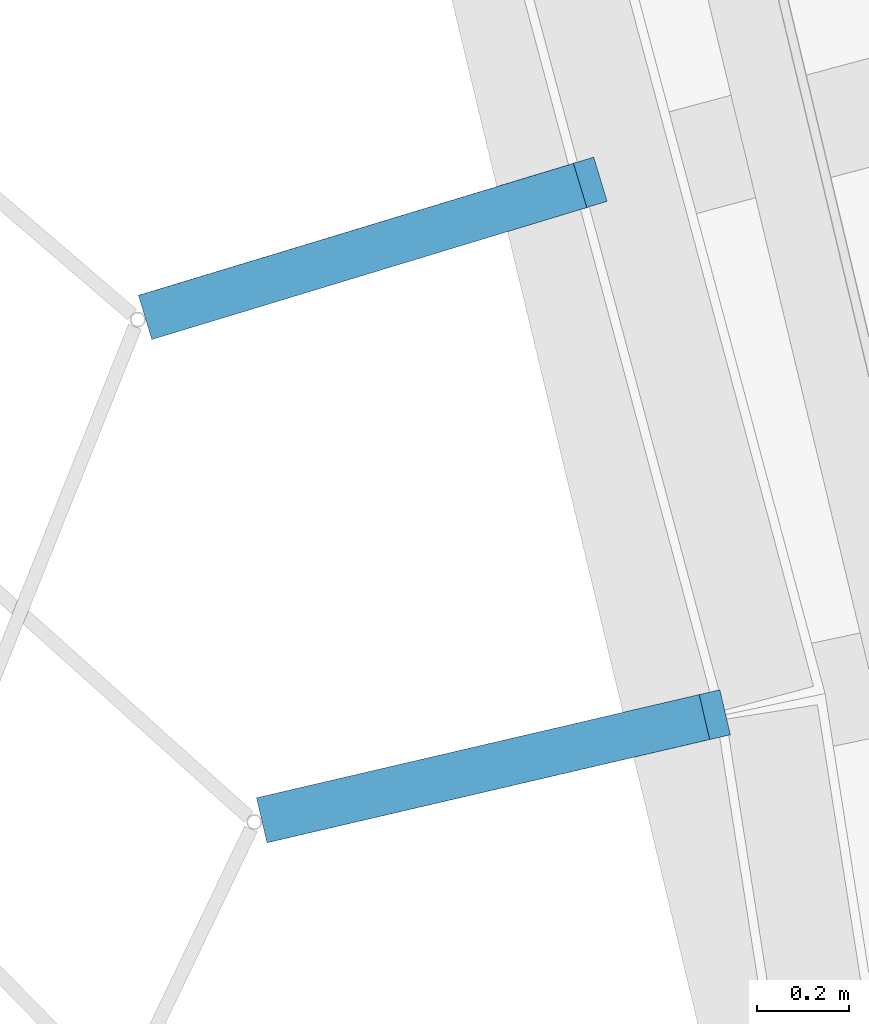
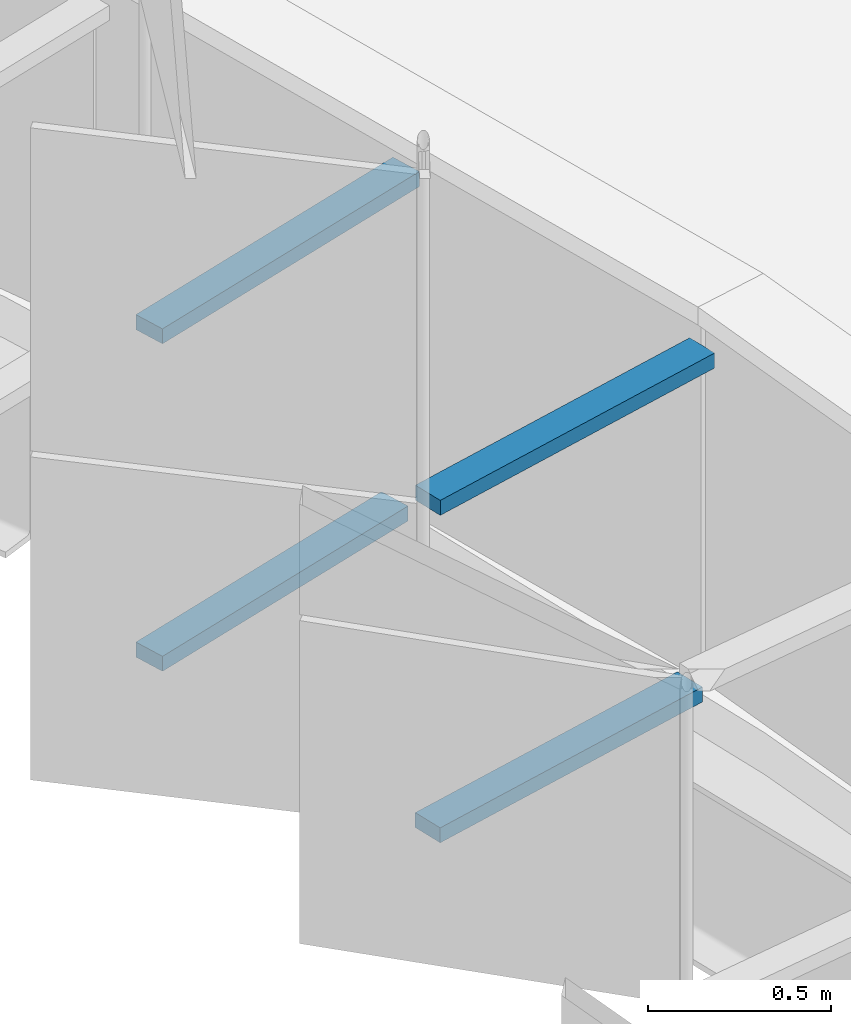
# One storey, part 209 of 483: 4 discrete accessories.
"""IFC4 building model written with IfcOpenShell, lengths in metres."""

from ifc_helpers import new_model, si_unit, direction, frame, origin, origin_2d, place, context, subcontext, project, spatial, rectangle, extrude, material, type_object, element, save


model = new_model("IFC4")

# Units and contexts
model_context = context("Model", 3, precision=1e-05, world=origin(), true_north=direction((0.0, 1.0)))
body_context = subcontext(model_context, "Body", "Model", "MODEL_VIEW")
ifc_project = project(units=[si_unit("LENGTHUNIT", "METRE"), si_unit("AREAUNIT", "SQUARE_METRE"), si_unit("VOLUMEUNIT", "CUBIC_METRE"), si_unit("PLANEANGLEUNIT", "RADIAN"), si_unit("MASSUNIT", "GRAM", prefix="KILO")], contexts=[model_context])

# Site, building, storey
site_placement = place(None, origin())
site = spatial("IfcSite", under=ifc_project, at=site_placement, CompositionType="ELEMENT")
building_placement = place(site_placement, origin())
building = spatial("IfcBuilding", under=site, at=building_placement, Name="Parallax Yard Mobility Hub", CompositionType="ELEMENT")
storey_placement = place(building_placement, frame((0.0, 0.0, 13.199951171875)))
storey = spatial("IfcBuildingStorey", under=building, at=storey_placement, Name="L04", CompositionType="ELEMENT", Elevation=13.199951171875)

# Discrete accessories
ifc_material = material(Name="Steel ASTM A36, hot-dip galvanised", Category="steel")
discrete_accessory_type = type_object("IfcDiscreteAccessoryType", Name="Hinge bracket plate 100x50", PredefinedType="BRACKET", material=ifc_material)
discrete_accessory_1_placement = place(storey_placement, frame((193.760009765625, 95.690185546875, -0.02490234375), z_axis=(0.0, 0.0, 1.0), x_axis=(-0.956940335732, -0.290284677254, 0.0)))
element("IfcDiscreteAccessory", 1, at=discrete_accessory_1_placement, inside=storey, type_object=discrete_accessory_type, Name="Hinge bracket plate bay 22.2 level L04", PredefinedType="BRACKET", context=body_context, shape_type="SweptSolid", body=[
    extrude(rectangle(XDim=0.984130859375, YDim=0.10009765625, at=origin_2d()), origin(), (0.0, 0.0, 1.0), 0.050048828125),
])
discrete_accessory_2_placement = place(storey_placement, frame((193.781982421875, 95.697021484375, 1.06982421875), z_axis=(0.0, 0.0, 1.0), x_axis=(-0.956940335732, -0.290284677254, 0.0)))
element("IfcDiscreteAccessory", 2, at=discrete_accessory_2_placement, inside=storey, type_object=discrete_accessory_type, Name="Hinge bracket plate bay 22.2 level L04", PredefinedType="BRACKET", context=body_context, shape_type="SweptSolid", body=[
    extrude(rectangle(XDim=1.030029296875, YDim=0.10009765625, at=origin_2d()), origin(), (0.0, 0.0, 1.0), 0.050048828125),
])
discrete_accessory_3_placement = place(storey_placement, frame((194.020751953125, 94.570556640625, -0.02490234375), z_axis=(0.0, 0.0, 1.0), x_axis=(-0.973876979277, -0.227076263034, 0.0)))
element("IfcDiscreteAccessory", 3, at=discrete_accessory_3_placement, inside=storey, type_object=discrete_accessory_type, Name="Hinge bracket plate bay 22.3 level L04", PredefinedType="BRACKET", context=body_context, shape_type="SweptSolid", body=[
    extrude(rectangle(XDim=0.984130859375, YDim=0.10009765625, at=origin_2d()), origin(), (0.0, 0.0, 1.0), 0.050048828125),
])
discrete_accessory_4_placement = place(storey_placement, frame((194.043212890625, 94.57568359375, 1.06982421875), z_axis=(0.0, 0.0, 1.0), x_axis=(-0.973876979277, -0.227076263034, 0.0)))
element("IfcDiscreteAccessory", 4, at=discrete_accessory_4_placement, inside=storey, type_object=discrete_accessory_type, Name="Hinge bracket plate bay 22.3 level L04", PredefinedType="BRACKET", context=body_context, shape_type="SweptSolid", body=[
    extrude(rectangle(XDim=1.030029296875, YDim=0.10009765625, at=origin_2d()), origin(), (0.0, 0.0, 1.0), 0.050048828125),
])

save(model, "model.ifc")
